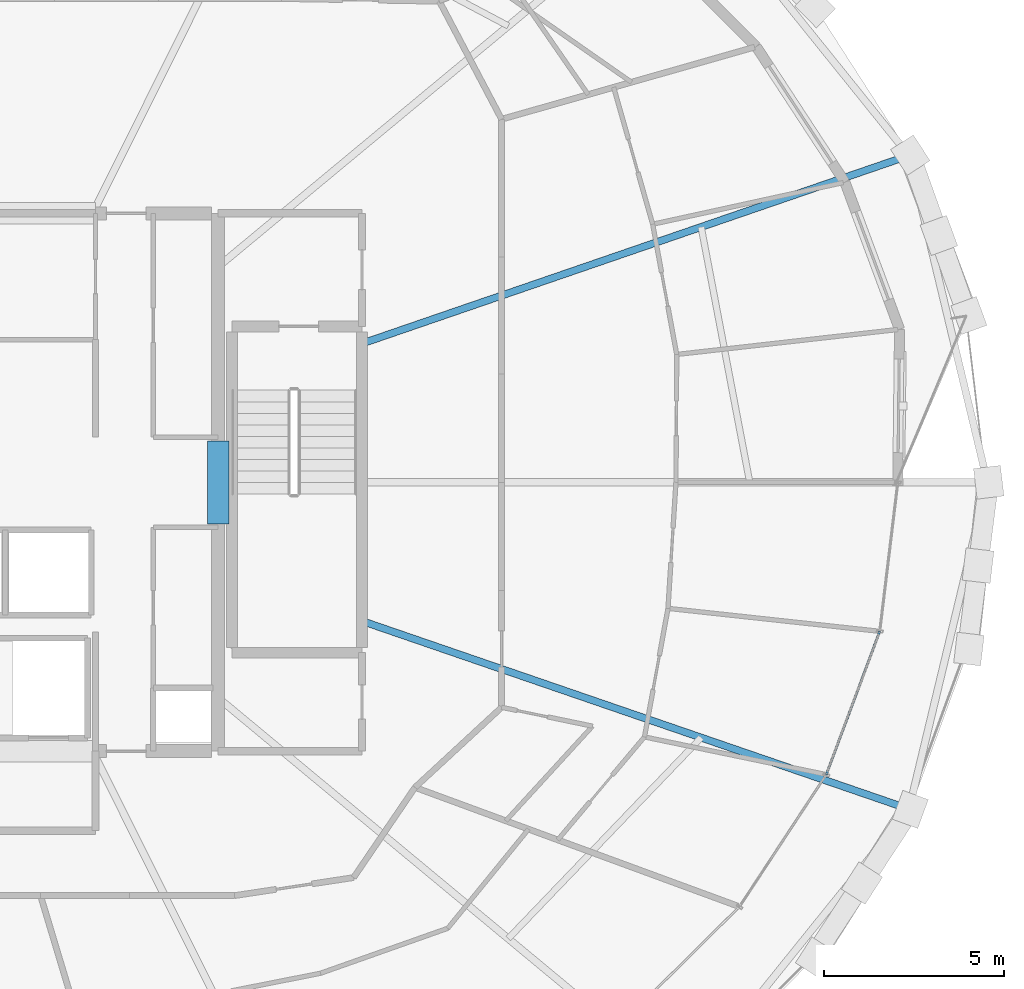
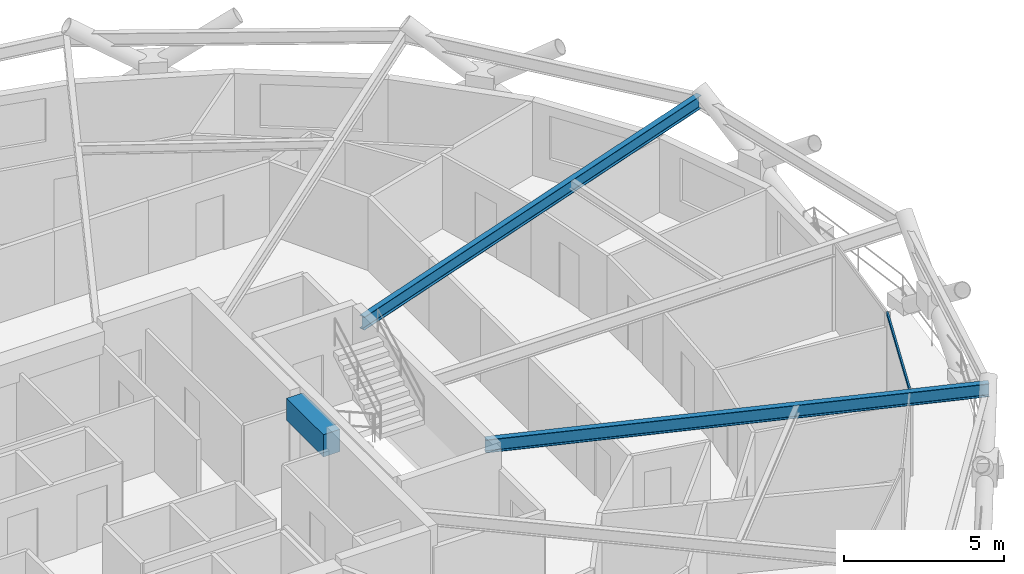
# One storey, part 7 of 20: 3 beams, 1 member, 1 element without a shape of its own.
"""IFC4 building model written with IfcOpenShell, lengths in metres."""

from ifc_helpers import new_model, si_unit, direction, frame, origin, origin_2d, place, context, subcontext, project, spatial, rectangle, hollow_rectangle, i_section, extrude, material, layer, layer_set, material_profile, profile_set, type_object, element, aggregate, save


model = new_model("IFC4")

# Units and contexts
model_context = context("Model", 3, precision=1e-05, world=origin(), true_north=direction((0.0, 1.0)))
body_context = subcontext(model_context, "Body", "Model", "MODEL_VIEW")
ifc_project = project(units=[si_unit("LENGTHUNIT", "METRE"), si_unit("AREAUNIT", "SQUARE_METRE"), si_unit("VOLUMEUNIT", "CUBIC_METRE"), si_unit("PLANEANGLEUNIT", "RADIAN"), si_unit("MASSUNIT", "GRAM", prefix="KILO")], contexts=[model_context])

# Site, building, storey
site_placement = place(None, origin())
site = spatial("IfcSite", under=ifc_project, at=site_placement, CompositionType="ELEMENT")
building_placement = place(site_placement, origin())
building = spatial("IfcBuilding", under=site, at=building_placement, Name="Veldorina Hangang Commons", CompositionType="ELEMENT")
storey_placement = place(building_placement, frame((0.0, 0.0, 131.60009765625)))
storey = spatial("IfcBuildingStorey", under=building, at=storey_placement, Name="L33", CompositionType="ELEMENT", Elevation=131.60009765625)

# Beams
ifc_material_1 = material(Name="Concrete C60/75", Category="concrete")
ifc_material_profile_1 = material_profile(ifc_material_1, rectangle(XDim=0.60009765625, YDim=0.85009765625, at=origin_2d()), Name="RC-CB-600x850")
ifc_profile_set_1 = profile_set([ifc_material_profile_1], Name="Concrete C60/75")
beam_type_1 = type_object("IfcBeamType", Name="BM-CB850", PredefinedType="LINTEL", material=ifc_profile_set_1)
beam_placement = place(storey_placement, frame((39.199951171875, 22.85009765625, 2.9248046875), z_axis=(0.0, 1.0, 0.0), x_axis=(-1.0, 0.0, 0.0)))
element("IfcBeam", 1, at=beam_placement, inside=storey, type_object=beam_type_1, Name="L33 E core coupling lintel beam", PredefinedType="LINTEL", context=body_context, shape_type="SweptSolid", body=[
    extrude(rectangle(XDim=0.60009765625, YDim=0.85009765625, at=origin_2d()), origin(), (0.0, 0.0, 1.0), 2.2998046875),
])
ifc_material_2 = material(Name="Steel SM420-TMC", Category="steel")
ifc_material_profile_2 = material_profile(ifc_material_2, i_section(OverallWidth=0.199951171875, OverallDepth=0.5, WebThickness=0.010009765625, FlangeThickness=0.01611328125, FilletRadius=0.01611328125, at=origin_2d()), Name="H-500x200x10x16")
ifc_profile_set_2 = profile_set([ifc_material_profile_2], Name="Steel SM420-TMC")
beam_type_2 = type_object("IfcBeamType", Name="BM-FG500", PredefinedType="BEAM", material=ifc_profile_set_2)
for number, where, z_axis, x_axis, name in (
    (2, (43.179931640625, 27.8427734375, 3.099853515625), (0.945697720509, 0.325047414116, 0.0), (-0.325047414116, 0.945697720509, 0.0), "L33 radial floor girder 02"),
    (3, (43.179931640625, 20.1572265625, 3.099853515625), (0.945697720509, -0.325047414116, 0.0), (0.325047414116, 0.945697720509, 0.0), "L33 radial floor girder 16"),
):
    element("IfcBeam", number, at=place(storey_placement, frame(where, z_axis=z_axis, x_axis=x_axis)), inside=storey, type_object=beam_type_2, Name=name, PredefinedType="BEAM", context=body_context, shape_type="SweptSolid", body=[
        extrude(i_section(OverallWidth=0.199951171875, OverallDepth=0.5, WebThickness=0.010009765625, FlangeThickness=0.01611328125, FilletRadius=0.01611328125, at=origin_2d()), origin(), (0.0, 0.0, 1.0), 16.027587890625),
    ])

# Curtain wall, member
ifc_material_3 = material(Name="Glass Low-E Triple IGU", Category="glass")
ifc_layer = layer(ifc_material_3, 0.179931640625)
ifc_layer_set = layer_set([ifc_layer], Name="Glass Low-E Triple IGU")
curtain_wall_type = type_object("IfcCurtainWallType", Name="CW-SYS-Z2", PredefinedType="NOTDEFINED", material=ifc_layer_set)
curtain_wall_placement = place(storey_placement, origin())
curtain_wall = element("IfcCurtainWall", 4, at=curtain_wall_placement, inside=storey, type_object=curtain_wall_type, Name="L33 unitised curtain wall CW-L33-R2", PredefinedType="NOTDEFINED")
ifc_material_4 = material(Name="Aluminium Anodized AA6063-T6", Category="aluminium")
ifc_material_profile_3 = material_profile(ifc_material_4, hollow_rectangle(XDim=0.06005859375, YDim=0.139892578125, WallThickness=0.00341796875, at=origin_2d()), Name="ALU-RHS-140x60x3.5")
ifc_profile_set_3 = profile_set([ifc_material_profile_3], Name="Aluminium Anodized AA6063-T6")
member_type = type_object("IfcMemberType", Name="CW-TRN-140", PredefinedType="USERDEFINED", material=ifc_profile_set_3)
member_placement = place(storey_placement, frame((56.042724609375, 15.902099609375, 3.27001953125), z_axis=(0.349531635651, 0.936924562427, 0.0), x_axis=(-0.936924562427, 0.349531635651, 0.0)))
member = element("IfcMember", 5, at=member_placement, type_object=member_type, Name="CW-L33-R2 facet 4 transom 1", ObjectType="TRANSOM", PredefinedType="USERDEFINED", context=body_context, shape_type="SweptSolid", body=[
    extrude(hollow_rectangle(XDim=0.06005859375, YDim=0.139892578125, WallThickness=0.00341796875, at=origin_2d()), origin(), (0.0, 0.0, 1.0), 4.237060546875),
])
aggregate(curtain_wall, [member])

save(model, "model.ifc")
